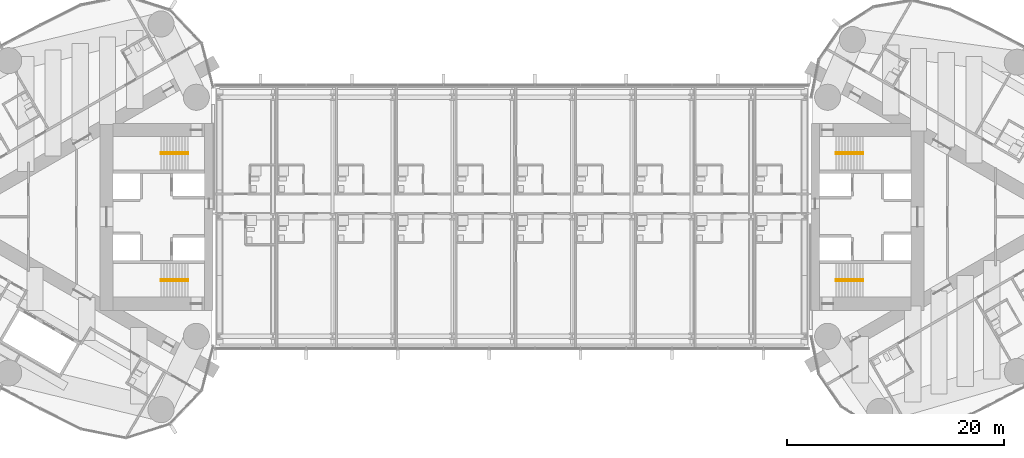
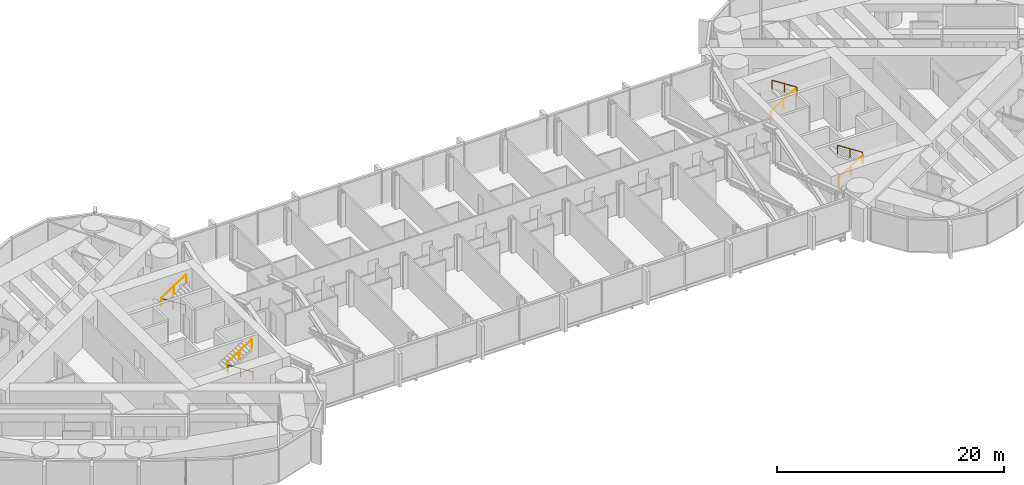
# One storey, part 22 of 23: 8 railings.
"""IFC4 building model written with IfcOpenShell, lengths in metres."""

from ifc_helpers import new_model, si_unit, direction, frame, origin, origin_2d, place, context, subcontext, project, spatial, circle, extrude, material, type_object, element, save


model = new_model("IFC4")

# Units and contexts
model_context = context("Model", 3, precision=1e-05, world=origin(), true_north=direction((0.0, 1.0)))
body_context = subcontext(model_context, "Body", "Model", "MODEL_VIEW")
ifc_project = project(units=[si_unit("LENGTHUNIT", "METRE"), si_unit("AREAUNIT", "SQUARE_METRE"), si_unit("VOLUMEUNIT", "CUBIC_METRE"), si_unit("PLANEANGLEUNIT", "RADIAN"), si_unit("MASSUNIT", "GRAM", prefix="KILO")], contexts=[model_context])

# Site, building, storey
site_placement = place(None, origin())
site = spatial("IfcSite", under=ifc_project, at=site_placement, CompositionType="ELEMENT")
building_placement = place(site_placement, origin())
building = spatial("IfcBuilding", under=site, at=building_placement, Name="Lancet Gate Hotel", CompositionType="ELEMENT")
storey_placement = place(building_placement, frame((0.0, 0.0, 218.89990234375)))
storey = spatial("IfcBuildingStorey", under=building, at=storey_placement, Name="L58", CompositionType="ELEMENT", Elevation=218.89990234375)

# Railings
ifc_material = material(Name="Stainless steel handrail", Category="steel")
railing_type = type_object("IfcRailingType", Name="Stair handrail 900", PredefinedType="HANDRAIL", material=ifc_material)
railing_1_placement = place(storey_placement, frame((-29.800048828125, 5.929931640625, 0.18017578125)))
element("IfcRailing", 1, at=railing_1_placement, inside=storey, type_object=railing_type, Name="ST1 handrail flight 1 L58", PredefinedType="HANDRAIL", context=body_context, shape_type="SweptSolid", body=[
    extrude(circle(Radius=0.02392578125, at=origin_2d()), frame((0.0, 0.0, 0.8759765625), z_axis=(-0.841199657755, 0.0, 0.540724639528), x_axis=(0.0, -1.0, 0.0)), (0.0, 0.0, 1.0), 2.995849609375),
    extrude(circle(Radius=0.02099609375, at=origin_2d()), origin(), (0.0, 0.0, 1.0), 0.851806640625),
    extrude(circle(Radius=0.02099609375, at=origin_2d()), frame((-1.260009765625, 0.0, 0.81005859375)), (0.0, 0.0, 1.0), 0.851806640625),
    extrude(circle(Radius=0.02099609375, at=origin_2d()), frame((-2.52001953125, 0.0, 1.619873046875)), (0.0, 0.0, 1.0), 0.851806640625),
])
railing_2_placement = place(storey_placement, frame((-32.320068359375, 5.77001953125, 1.97998046875)))
element("IfcRailing", 2, at=railing_2_placement, inside=storey, type_object=railing_type, Name="ST1 handrail flight 2 L58", PredefinedType="HANDRAIL", context=body_context, shape_type="SweptSolid", body=[
    extrude(circle(Radius=0.02392578125, at=origin_2d()), frame((0.0, 0.0, 0.8759765625), z_axis=(0.841162588446, 0.0, 0.540782303519), x_axis=(0.0, 1.0, 0.0)), (0.0, 0.0, 1.0), 2.995849609375),
    extrude(circle(Radius=0.02099609375, at=origin_2d()), origin(), (0.0, 0.0, 1.0), 0.851806640625),
    extrude(circle(Radius=0.02099609375, at=origin_2d()), frame((1.260009765625, 0.0, 0.81005859375)), (0.0, 0.0, 1.0), 0.851806640625),
    extrude(circle(Radius=0.02099609375, at=origin_2d()), frame((2.52001953125, 0.0, 1.6201171875)), (0.0, 0.0, 1.0), 0.851806640625),
])
railing_3_placement = place(storey_placement, frame((-29.800048828125, -5.929931640625, 0.18017578125)))
element("IfcRailing", 3, at=railing_3_placement, inside=storey, type_object=railing_type, Name="ST2 handrail flight 1 L58", PredefinedType="HANDRAIL", context=body_context, shape_type="SweptSolid", body=[
    extrude(circle(Radius=0.02392578125, at=origin_2d()), frame((0.0, 0.0, 0.8759765625), z_axis=(-0.841199657755, 0.0, 0.540724639528), x_axis=(0.0, -1.0, 0.0)), (0.0, 0.0, 1.0), 2.995849609375),
    extrude(circle(Radius=0.02099609375, at=origin_2d()), origin(), (0.0, 0.0, 1.0), 0.851806640625),
    extrude(circle(Radius=0.02099609375, at=origin_2d()), frame((-1.260009765625, 0.0, 0.81005859375)), (0.0, 0.0, 1.0), 0.851806640625),
    extrude(circle(Radius=0.02099609375, at=origin_2d()), frame((-2.52001953125, 0.0, 1.619873046875)), (0.0, 0.0, 1.0), 0.851806640625),
])
railing_4_placement = place(storey_placement, frame((-32.320068359375, -5.77001953125, 1.97998046875)))
element("IfcRailing", 4, at=railing_4_placement, inside=storey, type_object=railing_type, Name="ST2 handrail flight 2 L58", PredefinedType="HANDRAIL", context=body_context, shape_type="SweptSolid", body=[
    extrude(circle(Radius=0.02392578125, at=origin_2d()), frame((0.0, 0.0, 0.8759765625), z_axis=(0.841162588446, 0.0, 0.540782303519), x_axis=(0.0, 1.0, 0.0)), (0.0, 0.0, 1.0), 2.995849609375),
    extrude(circle(Radius=0.02099609375, at=origin_2d()), origin(), (0.0, 0.0, 1.0), 0.851806640625),
    extrude(circle(Radius=0.02099609375, at=origin_2d()), frame((1.260009765625, 0.0, 0.81005859375)), (0.0, 0.0, 1.0), 0.851806640625),
    extrude(circle(Radius=0.02099609375, at=origin_2d()), frame((2.52001953125, 0.0, 1.6201171875)), (0.0, 0.0, 1.0), 0.851806640625),
])
railing_5_placement = place(storey_placement, frame((29.800048828125, -5.929931640625, 0.18017578125)))
element("IfcRailing", 5, at=railing_5_placement, inside=storey, type_object=railing_type, Name="ST3 handrail flight 1 L58", PredefinedType="HANDRAIL", context=body_context, shape_type="SweptSolid", body=[
    extrude(circle(Radius=0.02392578125, at=origin_2d()), frame((0.0, 0.0, 0.8759765625), z_axis=(0.841199657755, 0.0, 0.540724639528), x_axis=(0.0, 1.0, 0.0)), (0.0, 0.0, 1.0), 2.995849609375),
    extrude(circle(Radius=0.02099609375, at=origin_2d()), origin(), (0.0, 0.0, 1.0), 0.851806640625),
    extrude(circle(Radius=0.02099609375, at=origin_2d()), frame((1.260009765625, 0.0, 0.81005859375)), (0.0, 0.0, 1.0), 0.851806640625),
    extrude(circle(Radius=0.02099609375, at=origin_2d()), frame((2.52001953125, 0.0, 1.619873046875)), (0.0, 0.0, 1.0), 0.851806640625),
])
railing_6_placement = place(storey_placement, frame((32.320068359375, -5.77001953125, 1.97998046875)))
element("IfcRailing", 6, at=railing_6_placement, inside=storey, type_object=railing_type, Name="ST3 handrail flight 2 L58", PredefinedType="HANDRAIL", context=body_context, shape_type="SweptSolid", body=[
    extrude(circle(Radius=0.02392578125, at=origin_2d()), frame((0.0, 0.0, 0.8759765625), z_axis=(-0.841162588446, 0.0, 0.540782303519), x_axis=(0.0, -1.0, 0.0)), (0.0, 0.0, 1.0), 2.995849609375),
    extrude(circle(Radius=0.02099609375, at=origin_2d()), origin(), (0.0, 0.0, 1.0), 0.851806640625),
    extrude(circle(Radius=0.02099609375, at=origin_2d()), frame((-1.260009765625, 0.0, 0.81005859375)), (0.0, 0.0, 1.0), 0.851806640625),
    extrude(circle(Radius=0.02099609375, at=origin_2d()), frame((-2.52001953125, 0.0, 1.6201171875)), (0.0, 0.0, 1.0), 0.851806640625),
])
railing_7_placement = place(storey_placement, frame((29.800048828125, 5.929931640625, 0.18017578125)))
element("IfcRailing", 7, at=railing_7_placement, inside=storey, type_object=railing_type, Name="ST4 handrail flight 1 L58", PredefinedType="HANDRAIL", context=body_context, shape_type="SweptSolid", body=[
    extrude(circle(Radius=0.02392578125, at=origin_2d()), frame((0.0, 0.0, 0.8759765625), z_axis=(0.841199657755, 0.0, 0.540724639528), x_axis=(0.0, 1.0, 0.0)), (0.0, 0.0, 1.0), 2.995849609375),
    extrude(circle(Radius=0.02099609375, at=origin_2d()), origin(), (0.0, 0.0, 1.0), 0.851806640625),
    extrude(circle(Radius=0.02099609375, at=origin_2d()), frame((1.260009765625, 0.0, 0.81005859375)), (0.0, 0.0, 1.0), 0.851806640625),
    extrude(circle(Radius=0.02099609375, at=origin_2d()), frame((2.52001953125, 0.0, 1.619873046875)), (0.0, 0.0, 1.0), 0.851806640625),
])
railing_8_placement = place(storey_placement, frame((32.320068359375, 5.77001953125, 1.97998046875)))
element("IfcRailing", 8, at=railing_8_placement, inside=storey, type_object=railing_type, Name="ST4 handrail flight 2 L58", PredefinedType="HANDRAIL", context=body_context, shape_type="SweptSolid", body=[
    extrude(circle(Radius=0.02392578125, at=origin_2d()), frame((0.0, 0.0, 0.8759765625), z_axis=(-0.841162588446, 0.0, 0.540782303519), x_axis=(0.0, -1.0, 0.0)), (0.0, 0.0, 1.0), 2.995849609375),
    extrude(circle(Radius=0.02099609375, at=origin_2d()), origin(), (0.0, 0.0, 1.0), 0.851806640625),
    extrude(circle(Radius=0.02099609375, at=origin_2d()), frame((-1.260009765625, 0.0, 0.81005859375)), (0.0, 0.0, 1.0), 0.851806640625),
    extrude(circle(Radius=0.02099609375, at=origin_2d()), frame((-2.52001953125, 0.0, 1.6201171875)), (0.0, 0.0, 1.0), 0.851806640625),
])

save(model, "model.ifc")
